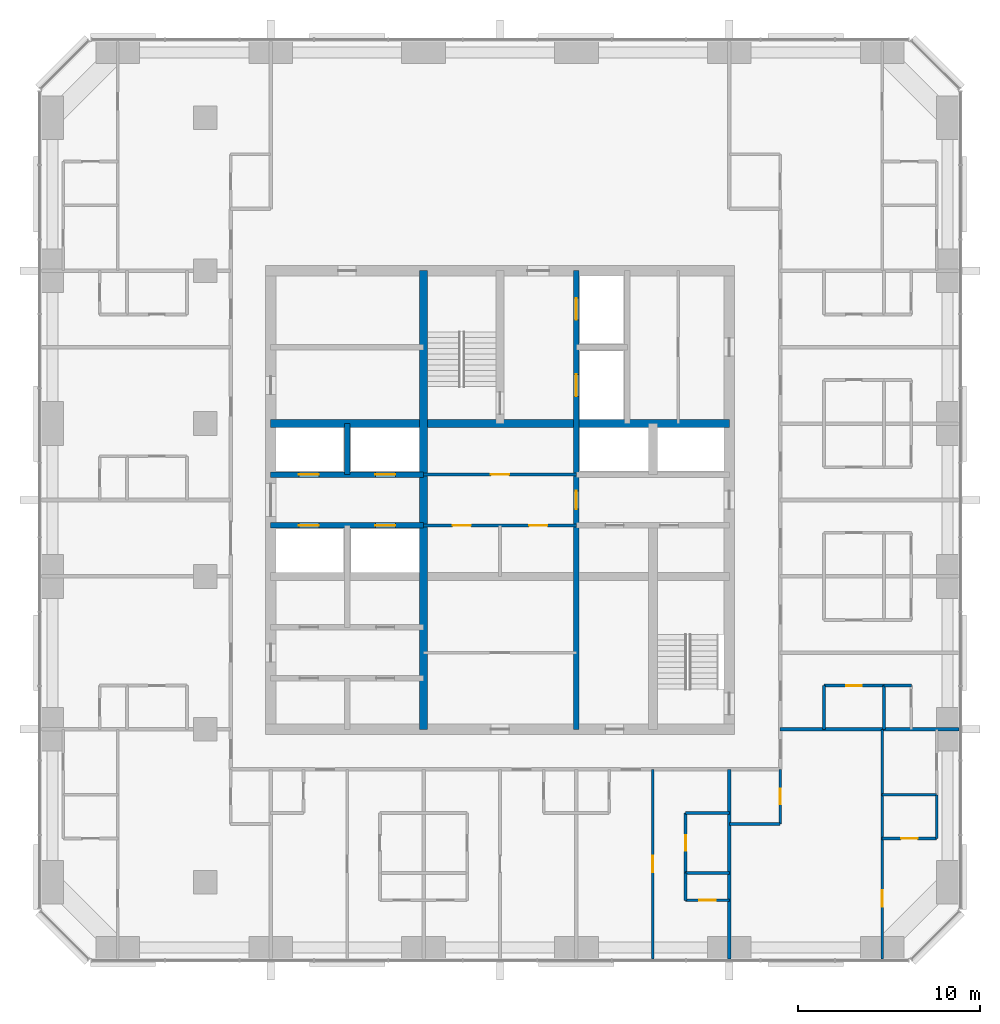
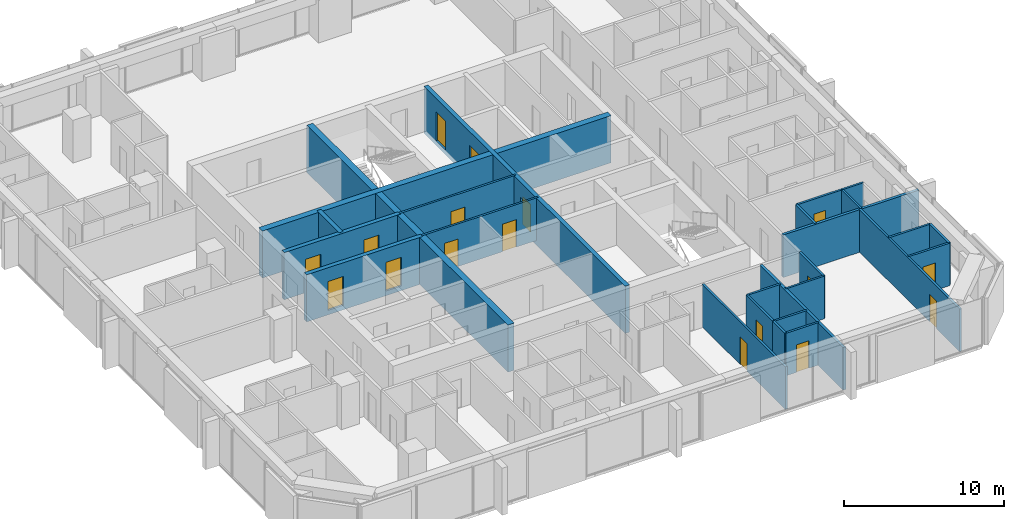
# One storey, part 10 of 14: 26 walls, 17 doors, 17 openings.
"""IFC4 building model written with IfcOpenShell, lengths in metres."""

from ifc_helpers import new_model, si_unit, direction, frame, frame_2d, origin, place, context, subcontext, project, spatial, rectangle, extrude, material, layer, layer_set, type_object, element, fill, save


model = new_model("IFC4")

# Units and contexts
model_context = context("Model", 3, precision=1e-05, world=origin(), true_north=direction((0.0, 1.0)))
body_context = subcontext(model_context, "Body", "Model", "MODEL_VIEW")
ifc_project = project(units=[si_unit("LENGTHUNIT", "METRE"), si_unit("AREAUNIT", "SQUARE_METRE"), si_unit("VOLUMEUNIT", "CUBIC_METRE"), si_unit("PLANEANGLEUNIT", "RADIAN"), si_unit("MASSUNIT", "GRAM", prefix="KILO")], contexts=[model_context])

# Site, building, storey
site_placement = place(None, origin())
site = spatial("IfcSite", under=ifc_project, at=site_placement, CompositionType="ELEMENT")
building_placement = place(site_placement, origin())
building = spatial("IfcBuilding", under=site, at=building_placement, Name="Dunama Terrace Hotel", CompositionType="ELEMENT")
storey_placement = place(building_placement, frame((0.0, 0.0, 184.199951171875)))
storey = spatial("IfcBuildingStorey", under=building, at=storey_placement, Name="L47", CompositionType="ELEMENT", Elevation=184.199951171875)

# Wall, opening, door
ifc_material_1 = material(Name="Gypsum board partition", Category="masonry")
ifc_layer_1 = layer(ifc_material_1, 0.14990234375)
ifc_layer_set_1 = layer_set([ifc_layer_1], Name="Bathroom partition 150")
wall_type_1 = type_object("IfcWallType", Name="Bathroom partition 150", PredefinedType="PARTITIONING", material=ifc_layer_set_1)
wall_1_placement = place(storey_placement, frame((39.60009765625, 8.89990234375, 0.0), z_axis=(0.0, 0.0, 1.0), x_axis=(0.0, 1.0, 0.0)))
wall_1 = element("IfcWall", 1, at=wall_1_placement, inside=storey, type_object=wall_type_1, Name="Bathroom partition 150 L47", PredefinedType="PARTITIONING", context=body_context, shape_type="SweptSolid", body=[
    extrude(rectangle(XDim=3.300048828125, YDim=0.14990234375, at=frame_2d((1.64990234375, 0.0))), origin(), (0.0, 0.0, 1.0), 3.25),
])
opening_1_placement = place(wall_1_placement, frame((1.22509765625, 0.0, 0.0)))
opening_1 = element("IfcOpeningElement", 2, at=opening_1_placement, cuts=wall_1, Name="Opening L46-47-022", PredefinedType="OPENING", context=body_context, shape_type="SweptSolid", body=[
    extrude(rectangle(XDim=0.85009765625, YDim=2.10009765625, at=frame_2d((0.425048828125, 1.050048828125))), frame((0.0, 0.0849609375, 0.0), z_axis=(0.0, -1.0, 0.0), x_axis=(1.0, 0.0, 0.0)), (0.0, 0.0, 1.0), 0.169921875),
])
ifc_material_2 = material(Name="Timber door with steel frame", Category="steel")
door_type_1 = type_object("IfcDoorType", Name="Bathroom door 850", OperationType="SINGLE_SWING_LEFT", PredefinedType="DOOR", material=ifc_material_2)
door_1_placement = place(opening_1_placement, frame((0.85009765625, 0.0, 0.0), z_axis=(0.0, 0.0, 1.0), x_axis=(-1.0, 0.0, 0.0)))
door_1 = element("IfcDoor", 3, at=door_1_placement, inside=storey, type_object=door_type_1, Name="Door to en-suite bathroom L46-47-022, type D2", OperationType="SINGLE_SWING_RIGHT", OverallHeight=2.10009765625, OverallWidth=0.85009765625, PredefinedType="DOOR", context=body_context, shape_type="SweptSolid", body=[
    extrude(rectangle(XDim=0.85009765625, YDim=2.10009765625, at=frame_2d((0.425048828125, 1.050048828125))), frame((0.0, 0.025146484375, 0.0), z_axis=(0.0, -1.0, 0.0), x_axis=(1.0, 0.0, 0.0)), (0.0, 0.0, 1.0), 0.050048828125),
])
fill(opening_1, door_1)

wall_2_placement = place(storey_placement, frame((44.800048828125, 11.60009765625, 0.0), z_axis=(0.0, 0.0, 1.0), x_axis=(0.0, 1.0, 0.0)))
wall_2 = element("IfcWall", 4, at=wall_2_placement, inside=storey, type_object=wall_type_1, Name="Bathroom partition 150 L47", PredefinedType="PARTITIONING", context=body_context, shape_type="SweptSolid", body=[
    extrude(rectangle(XDim=3.0, YDim=0.14990234375, at=frame_2d((1.5, 0.0))), origin(), (0.0, 0.0, 1.0), 3.25),
])
opening_2_placement = place(wall_2_placement, frame((1.074951171875, 0.0, 0.0)))
opening_2 = element("IfcOpeningElement", 5, at=opening_2_placement, cuts=wall_2, Name="Opening L46-47-058", PredefinedType="OPENING", context=body_context, shape_type="SweptSolid", body=[
    extrude(rectangle(XDim=0.85009765625, YDim=2.10009765625, at=frame_2d((0.425048828125, 1.050048828125))), frame((0.0, 0.0849609375, 0.0), z_axis=(0.0, -1.0, 0.0), x_axis=(1.0, 0.0, 0.0)), (0.0, 0.0, 1.0), 0.169921875),
])
door_2_placement = place(opening_2_placement, origin())
door_2 = element("IfcDoor", 6, at=door_2_placement, inside=storey, type_object=door_type_1, Name="Door to powder room L46-47-058, type D2", OperationType="SINGLE_SWING_RIGHT", OverallHeight=2.10009765625, OverallWidth=0.85009765625, PredefinedType="DOOR", context=body_context, shape_type="SweptSolid", body=[
    extrude(rectangle(XDim=0.85009765625, YDim=2.10009765625, at=frame_2d((0.425048828125, 1.050048828125))), frame((0.0, 0.02490234375, 0.0), z_axis=(0.0, -1.0, 0.0), x_axis=(1.0, 0.0, 0.0)), (0.0, 0.0, 1.0), 0.050048828125),
])
fill(opening_2, door_2)

# Walls
wall_3_placement = place(storey_placement, frame((47.199951171875, 16.800048828125, 0.0), z_axis=(0.0, 0.0, 1.0), x_axis=(0.0, 1.0, 0.0)))
element("IfcWall", 7, at=wall_3_placement, inside=storey, type_object=wall_type_1, Name="Bathroom partition 150 L47", PredefinedType="PARTITIONING", context=body_context, shape_type="SweptSolid", body=[
    extrude(rectangle(XDim=2.39990234375, YDim=0.14990234375, at=frame_2d((1.199951171875, 0.0))), origin(), (0.0, 0.0, 1.0), 3.25),
])
wall_4_placement = place(storey_placement, frame((42.0, 11.60009765625, 0.0), z_axis=(0.0, 0.0, 1.0), x_axis=(1.0, 0.0, 0.0)))
element("IfcWall", 8, at=wall_4_placement, inside=storey, type_object=wall_type_1, Name="Bathroom partition 150 L47", PredefinedType="PARTITIONING", context=body_context, shape_type="SweptSolid", body=[
    extrude(rectangle(XDim=2.800048828125, YDim=0.14990234375, at=frame_2d((1.39990234375, 0.0))), origin(), (0.0, 0.0, 1.0), 3.25),
])
wall_5_placement = place(storey_placement, frame((39.60009765625, 12.199951171875, 0.0), z_axis=(0.0, 0.0, 1.0), x_axis=(1.0, 0.0, 0.0)))
element("IfcWall", 9, at=wall_5_placement, inside=storey, type_object=wall_type_1, Name="Bathroom partition 150 L47", PredefinedType="PARTITIONING", context=body_context, shape_type="SweptSolid", body=[
    extrude(rectangle(XDim=2.39990234375, YDim=0.14990234375, at=frame_2d((1.199951171875, 0.0))), origin(), (0.0, 0.0, 1.0), 3.25),
])

# Wall, opening, door
wall_6_placement = place(storey_placement, frame((47.199951171875, 19.199951171875, 0.0), z_axis=(0.0, 0.0, 1.0), x_axis=(1.0, 0.0, 0.0)))
wall_6 = element("IfcWall", 10, at=wall_6_placement, inside=storey, type_object=wall_type_1, Name="Bathroom partition 150 L47", PredefinedType="PARTITIONING", context=body_context, shape_type="SweptSolid", body=[
    extrude(rectangle(XDim=3.300048828125, YDim=0.14990234375, at=frame_2d((1.64990234375, 0.0))), origin(), (0.0, 0.0, 1.0), 3.25),
])
opening_3_placement = place(wall_6_placement, frame((1.22509765625, 0.0, 0.0)))
opening_3 = element("IfcOpeningElement", 11, at=opening_3_placement, cuts=wall_6, Name="Opening L46-47-025", PredefinedType="OPENING", context=body_context, shape_type="SweptSolid", body=[
    extrude(rectangle(XDim=0.85009765625, YDim=2.10009765625, at=frame_2d((0.425048828125, 1.050048828125))), frame((0.0, 0.0849609375, 0.0), z_axis=(0.0, -1.0, 0.0), x_axis=(1.0, 0.0, 0.0)), (0.0, 0.0, 1.0), 0.169921875),
])
door_3_placement = place(opening_3_placement, frame((0.85009765625, 0.0, 0.0), z_axis=(0.0, 0.0, 1.0), x_axis=(-1.0, 0.0, 0.0)))
door_3 = element("IfcDoor", 12, at=door_3_placement, inside=storey, type_object=door_type_1, Name="Door to en-suite bathroom L46-47-025, type D2", OperationType="SINGLE_SWING_LEFT", OverallHeight=2.10009765625, OverallWidth=0.85009765625, PredefinedType="DOOR", context=body_context, shape_type="SweptSolid", body=[
    extrude(rectangle(XDim=0.85009765625, YDim=2.10009765625, at=frame_2d((0.425048828125, 1.050048828125))), frame((0.0, 0.025146484375, 0.0), z_axis=(0.0, -1.0, 0.0), x_axis=(1.0, 0.0, 0.0)), (0.0, 0.0, 1.0), 0.050048828125),
])
fill(opening_3, door_3)

# Wall
ifc_material_3 = material(Name="Concrete C50/60", Category="concrete")
ifc_layer_2 = layer(ifc_material_3, 0.300048828125)
ifc_layer_set_2 = layer_set([ifc_layer_2], Name="Core inner wall 300")
wall_type_2 = type_object("IfcWallType", Name="Core inner wall 300", PredefinedType="SHEAR", material=ifc_layer_set_2)
wall_7_placement = place(storey_placement, frame((21.0, 30.800048828125, -0.349853515625), z_axis=(0.0, 0.0, 1.0), x_axis=(0.0, 1.0, 0.0)))
element("IfcWall", 13, at=wall_7_placement, inside=storey, type_object=wall_type_2, Name="Core inner wall 300 L47", PredefinedType="SHEAR", context=body_context, shape_type="SweptSolid", body=[
    extrude(rectangle(XDim=2.800048828125, YDim=0.300048828125, at=frame_2d((1.39990234375, 0.0))), origin(), (0.0, 0.0, 1.0), 3.599853515625),
])

# Wall, openings, doors
wall_8_placement = place(storey_placement, frame((33.60009765625, 16.800048828125, -0.349853515625), z_axis=(0.0, 0.0, 1.0), x_axis=(0.0, 1.0, 0.0)))
wall_8 = element("IfcWall", 14, at=wall_8_placement, inside=storey, type_object=wall_type_2, Name="Core inner wall 300 L47", PredefinedType="SHEAR", context=body_context, shape_type="SweptSolid", body=[
    extrude(rectangle(XDim=25.199951171875, YDim=0.300048828125, at=frame_2d((12.60009765625, 0.0))), origin(), (0.0, 0.0, 1.0), 3.599853515625),
])
opening_4_placement = place(wall_8_placement, frame((22.5, 0.0, 0.35009765625)))
opening_4 = element("IfcOpeningElement", 15, at=opening_4_placement, cuts=wall_8, Name="Opening L46-47-007", PredefinedType="OPENING", context=body_context, shape_type="SweptSolid", body=[
    extrude(rectangle(XDim=1.199951171875, YDim=2.199951171875, at=frame_2d((0.60009765625, 1.10009765625))), frame((0.0, 0.159912109375, 0.0), z_axis=(0.0, -1.0, 0.0), x_axis=(1.0, 0.0, 0.0)), (0.0, 0.0, 1.0), 0.320068359375),
])
opening_5_placement = place(wall_8_placement, frame((18.300048828125, 0.0, 0.35009765625)))
opening_5 = element("IfcOpeningElement", 16, at=opening_5_placement, cuts=wall_8, Name="Opening L46-47-008", PredefinedType="OPENING", context=body_context, shape_type="SweptSolid", body=[
    extrude(rectangle(XDim=1.199951171875, YDim=2.199951171875, at=frame_2d((0.60009765625, 1.10009765625))), frame((0.0, 0.159912109375, 0.0), z_axis=(0.0, -1.0, 0.0), x_axis=(1.0, 0.0, 0.0)), (0.0, 0.0, 1.0), 0.320068359375),
])
opening_6_placement = place(wall_8_placement, frame((12.10009765625, 0.0, 0.35009765625)))
opening_6 = element("IfcOpeningElement", 17, at=opening_6_placement, cuts=wall_8, Name="Opening L46-47-080", PredefinedType="OPENING", context=body_context, shape_type="SweptSolid", body=[
    extrude(rectangle(XDim=1.0, YDim=2.10009765625, at=frame_2d((0.5, 1.050048828125))), frame((0.0, 0.159912109375, 0.0), z_axis=(0.0, -1.0, 0.0), x_axis=(1.0, 0.0, 0.0)), (0.0, 0.0, 1.0), 0.320068359375),
])
ifc_material_4 = material(Name="Stainless steel lift door", Category="steel")
door_type_2 = type_object("IfcDoorType", Name="Firefighting lift landing door 1200", OperationType="DOUBLE_DOOR_SLIDING", PredefinedType="DOOR", material=ifc_material_4)
door_4_placement = place(opening_4_placement, origin())
door_4 = element("IfcDoor", 18, at=door_4_placement, inside=storey, type_object=door_type_2, Name="Landing door FL1 L46-47-007, type LD2", OperationType="DOUBLE_DOOR_SLIDING", OverallHeight=2.199951171875, OverallWidth=1.199951171875, PredefinedType="DOOR", context=body_context, shape_type="SweptSolid", body=[
    extrude(rectangle(XDim=1.199951171875, YDim=2.199951171875, at=frame_2d((0.60009765625, 1.10009765625))), frame((0.0, 0.02490234375, 0.0), z_axis=(0.0, -1.0, 0.0), x_axis=(1.0, 0.0, 0.0)), (0.0, 0.0, 1.0), 0.050048828125),
])
fill(opening_4, door_4)
door_5_placement = place(opening_5_placement, origin())
door_5 = element("IfcDoor", 19, at=door_5_placement, inside=storey, type_object=door_type_2, Name="Landing door FL2 L46-47-008, type LD2", OperationType="DOUBLE_DOOR_SLIDING", OverallHeight=2.199951171875, OverallWidth=1.199951171875, PredefinedType="DOOR", context=body_context, shape_type="SweptSolid", body=[
    extrude(rectangle(XDim=1.199951171875, YDim=2.199951171875, at=frame_2d((0.60009765625, 1.10009765625))), frame((0.0, 0.02490234375, 0.0), z_axis=(0.0, -1.0, 0.0), x_axis=(1.0, 0.0, 0.0)), (0.0, 0.0, 1.0), 0.050048828125),
])
fill(opening_5, door_5)
ifc_material_5 = material(Name="Timber door with steel frame", Category="steel")
door_type_3 = type_object("IfcDoorType", Name="Service door 1000", OperationType="SINGLE_SWING_LEFT", PredefinedType="DOOR", material=ifc_material_5)
door_6_placement = place(opening_6_placement, origin())
door_6 = element("IfcDoor", 20, at=door_6_placement, inside=storey, type_object=door_type_3, Name="Door to staff passage L46-47-080, type D7", OperationType="SINGLE_SWING_LEFT", OverallHeight=2.10009765625, OverallWidth=1.0, PredefinedType="DOOR", context=body_context, shape_type="SweptSolid", body=[
    extrude(rectangle(XDim=1.0, YDim=2.10009765625, at=frame_2d((0.5, 1.050048828125))), frame((0.0, 0.02490234375, 0.0), z_axis=(0.0, -1.0, 0.0), x_axis=(1.0, 0.0, 0.0)), (0.0, 0.0, 1.0), 0.050048828125),
])
fill(opening_6, door_6)

wall_9_placement = place(storey_placement, frame((16.800048828125, 28.0, -0.349853515625), z_axis=(0.0, 0.0, 1.0), x_axis=(1.0, 0.0, 0.0)))
wall_9 = element("IfcWall", 21, at=wall_9_placement, inside=storey, type_object=wall_type_2, Name="Core inner wall 300 L47", PredefinedType="SHEAR", context=body_context, shape_type="SweptSolid", body=[
    extrude(rectangle(XDim=8.39990234375, YDim=0.300048828125, at=frame_2d((4.199951171875, 0.0))), origin(), (0.0, 0.0, 1.0), 3.599853515625),
])
opening_7_placement = place(wall_9_placement, frame((1.550048828125, 0.0, 0.35009765625)))
opening_7 = element("IfcOpeningElement", 22, at=opening_7_placement, cuts=wall_9, Name="Opening L46-47-003", PredefinedType="OPENING", context=body_context, shape_type="SweptSolid", body=[
    extrude(rectangle(XDim=1.10009765625, YDim=2.199951171875, at=frame_2d((0.550048828125, 1.10009765625))), frame((0.0, 0.159912109375, 0.0), z_axis=(0.0, -1.0, 0.0), x_axis=(1.0, 0.0, 0.0)), (0.0, 0.0, 1.0), 0.320068359375),
])
opening_8_placement = place(wall_9_placement, frame((5.75, 0.0, 0.35009765625)))
opening_8 = element("IfcOpeningElement", 23, at=opening_8_placement, cuts=wall_9, Name="Opening L46-47-004", PredefinedType="OPENING", context=body_context, shape_type="SweptSolid", body=[
    extrude(rectangle(XDim=1.10009765625, YDim=2.199951171875, at=frame_2d((0.550048828125, 1.10009765625))), frame((0.0, 0.159912109375, 0.0), z_axis=(0.0, -1.0, 0.0), x_axis=(1.0, 0.0, 0.0)), (0.0, 0.0, 1.0), 0.320068359375),
])
ifc_material_6 = material(Name="Stainless steel lift door", Category="steel")
door_type_4 = type_object("IfcDoorType", Name="Lift landing door 1100", OperationType="DOUBLE_DOOR_SLIDING", PredefinedType="DOOR", material=ifc_material_6)
door_7_placement = place(opening_7_placement, origin())
door_7 = element("IfcDoor", 24, at=door_7_placement, inside=storey, type_object=door_type_4, Name="Landing door PC1 L46-47-003, type LD1", OperationType="DOUBLE_DOOR_SLIDING", OverallHeight=2.199951171875, OverallWidth=1.10009765625, PredefinedType="DOOR", context=body_context, shape_type="SweptSolid", body=[
    extrude(rectangle(XDim=1.10009765625, YDim=2.199951171875, at=frame_2d((0.550048828125, 1.10009765625))), frame((0.0, 0.02490234375, 0.0), z_axis=(0.0, -1.0, 0.0), x_axis=(1.0, 0.0, 0.0)), (0.0, 0.0, 1.0), 0.050048828125),
])
fill(opening_7, door_7)
door_8_placement = place(opening_8_placement, origin())
door_8 = element("IfcDoor", 25, at=door_8_placement, inside=storey, type_object=door_type_4, Name="Landing door PC2 L46-47-004, type LD1", OperationType="DOUBLE_DOOR_SLIDING", OverallHeight=2.199951171875, OverallWidth=1.10009765625, PredefinedType="DOOR", context=body_context, shape_type="SweptSolid", body=[
    extrude(rectangle(XDim=1.10009765625, YDim=2.199951171875, at=frame_2d((0.550048828125, 1.10009765625))), frame((0.0, 0.02490234375, 0.0), z_axis=(0.0, -1.0, 0.0), x_axis=(1.0, 0.0, 0.0)), (0.0, 0.0, 1.0), 0.050048828125),
])
fill(opening_8, door_8)

wall_10_placement = place(storey_placement, frame((16.800048828125, 30.800048828125, -0.349853515625), z_axis=(0.0, 0.0, 1.0), x_axis=(1.0, 0.0, 0.0)))
wall_10 = element("IfcWall", 26, at=wall_10_placement, inside=storey, type_object=wall_type_2, Name="Core inner wall 300 L47", PredefinedType="SHEAR", context=body_context, shape_type="SweptSolid", body=[
    extrude(rectangle(XDim=8.39990234375, YDim=0.300048828125, at=frame_2d((4.199951171875, 0.0))), origin(), (0.0, 0.0, 1.0), 3.599853515625),
])
opening_9_placement = place(wall_10_placement, frame((1.550048828125, 0.0, 0.35009765625)))
opening_9 = element("IfcOpeningElement", 27, at=opening_9_placement, cuts=wall_10, Name="Opening L46-47-005", PredefinedType="OPENING", context=body_context, shape_type="SweptSolid", body=[
    extrude(rectangle(XDim=1.10009765625, YDim=2.199951171875, at=frame_2d((0.550048828125, 1.10009765625))), frame((0.0, 0.159912109375, 0.0), z_axis=(0.0, -1.0, 0.0), x_axis=(1.0, 0.0, 0.0)), (0.0, 0.0, 1.0), 0.320068359375),
])
opening_10_placement = place(wall_10_placement, frame((5.75, 0.0, 0.35009765625)))
opening_10 = element("IfcOpeningElement", 28, at=opening_10_placement, cuts=wall_10, Name="Opening L46-47-006", PredefinedType="OPENING", context=body_context, shape_type="SweptSolid", body=[
    extrude(rectangle(XDim=1.10009765625, YDim=2.199951171875, at=frame_2d((0.550048828125, 1.10009765625))), frame((0.0, 0.159912109375, 0.0), z_axis=(0.0, -1.0, 0.0), x_axis=(1.0, 0.0, 0.0)), (0.0, 0.0, 1.0), 0.320068359375),
])
door_9_placement = place(opening_9_placement, origin())
door_9 = element("IfcDoor", 29, at=door_9_placement, inside=storey, type_object=door_type_4, Name="Landing door PC3 L46-47-005, type LD1", OperationType="DOUBLE_DOOR_SLIDING", OverallHeight=2.199951171875, OverallWidth=1.10009765625, PredefinedType="DOOR", context=body_context, shape_type="SweptSolid", body=[
    extrude(rectangle(XDim=1.10009765625, YDim=2.199951171875, at=frame_2d((0.550048828125, 1.10009765625))), frame((0.0, 0.02490234375, 0.0), z_axis=(0.0, -1.0, 0.0), x_axis=(1.0, 0.0, 0.0)), (0.0, 0.0, 1.0), 0.050048828125),
])
fill(opening_9, door_9)
door_10_placement = place(opening_10_placement, origin())
door_10 = element("IfcDoor", 30, at=door_10_placement, inside=storey, type_object=door_type_4, Name="Landing door PC4 L46-47-006, type LD1", OperationType="DOUBLE_DOOR_SLIDING", OverallHeight=2.199951171875, OverallWidth=1.10009765625, PredefinedType="DOOR", context=body_context, shape_type="SweptSolid", body=[
    extrude(rectangle(XDim=1.10009765625, YDim=2.199951171875, at=frame_2d((0.550048828125, 1.10009765625))), frame((0.0, 0.02490234375, 0.0), z_axis=(0.0, -1.0, 0.0), x_axis=(1.0, 0.0, 0.0)), (0.0, 0.0, 1.0), 0.050048828125),
])
fill(opening_10, door_10)

# Walls
ifc_material_7 = material(Name="Concrete C50/60", Category="concrete")
ifc_layer_3 = layer(ifc_material_7, 0.449951171875)
ifc_layer_set_3 = layer_set([ifc_layer_3], Name="Core inner wall 450")
wall_type_3 = type_object("IfcWallType", Name="Core inner wall 450", PredefinedType="SHEAR", material=ifc_layer_set_3)
for number, where, z_axis, x_axis, name in (
    (31, (25.199951171875, 16.800048828125, -0.349853515625), (0.0, 0.0, 1.0), (0.0, 1.0, 0.0), "Core inner wall 450 L47"),
    (32, (16.800048828125, 33.60009765625, -0.349853515625), (0.0, 0.0, 1.0), (1.0, 0.0, 0.0), "Core inner wall 450 L47"),
):
    element("IfcWall", number, at=place(storey_placement, frame(where, z_axis=z_axis, x_axis=x_axis)), inside=storey, type_object=wall_type_3, Name=name, PredefinedType="SHEAR", context=body_context, shape_type="SweptSolid", body=[
        extrude(rectangle(XDim=25.199951171875, YDim=0.449951171875, at=frame_2d((12.60009765625, 0.0))), origin(), (0.0, 0.0, 1.0), 3.599853515625),
    ])
ifc_material_8 = material(Name="Concrete blockwork", Category="masonry")
ifc_layer_4 = layer(ifc_material_8, 0.199951171875)
ifc_layer_set_4 = layer_set([ifc_layer_4], Name="Party wall 200")
wall_type_4 = type_object("IfcWallType", Name="Party wall 200", PredefinedType="PARTITIONING", material=ifc_layer_set_4)
wall_11_placement = place(storey_placement, frame((42.0, 4.181884765625, 0.0), z_axis=(0.0, 0.0, 1.0), x_axis=(0.0, 1.0, 0.0)))
element("IfcWall", 33, at=wall_11_placement, inside=storey, type_object=wall_type_4, Name="Party wall 200 L47", PredefinedType="PARTITIONING", context=body_context, shape_type="SweptSolid", body=[
    extrude(rectangle(XDim=10.418212890625, YDim=0.199951171875, at=frame_2d((5.208984375, 0.0))), origin(), (0.0, 0.0, 1.0), 3.25),
])
wall_12_placement = place(storey_placement, frame((44.800048828125, 16.800048828125, 0.0), z_axis=(0.0, 0.0, 1.0), x_axis=(1.0, 0.0, 0.0)))
element("IfcWall", 34, at=wall_12_placement, inside=storey, type_object=wall_type_4, Name="Party wall 200 L47", PredefinedType="PARTITIONING", context=body_context, shape_type="SweptSolid", body=[
    extrude(rectangle(XDim=9.81787109375, YDim=0.199951171875, at=frame_2d((4.908935546875, 0.0))), origin(), (0.0, 0.0, 1.0), 3.25),
])

# Wall, opening, door
ifc_material_9 = material(Name="Gypsum board partition", Category="masonry")
ifc_layer_5 = layer(ifc_material_9, 0.14990234375)
ifc_layer_set_5 = layer_set([ifc_layer_5], Name="Room partition 150")
wall_type_5 = type_object("IfcWallType", Name="Room partition 150", PredefinedType="PARTITIONING", material=ifc_layer_set_5)
wall_13_placement = place(storey_placement, frame((37.800048828125, 4.181884765625, 0.0), z_axis=(0.0, 0.0, 1.0), x_axis=(0.0, 1.0, 0.0)))
wall_13 = element("IfcWall", 35, at=wall_13_placement, inside=storey, type_object=wall_type_5, Name="Room partition 150 L47", PredefinedType="PARTITIONING", context=body_context, shape_type="SweptSolid", body=[
    extrude(rectangle(XDim=10.418212890625, YDim=0.14990234375, at=frame_2d((5.208984375, 0.0))), origin(), (0.0, 0.0, 1.0), 3.25),
])
opening_11_placement = place(wall_13_placement, frame((4.76806640625, 0.0, 0.0)))
opening_11 = element("IfcOpeningElement", 36, at=opening_11_placement, cuts=wall_13, Name="Opening L46-47-021", PredefinedType="OPENING", context=body_context, shape_type="SweptSolid", body=[
    extrude(rectangle(XDim=0.89990234375, YDim=2.10009765625, at=frame_2d((0.449951171875, 1.050048828125))), frame((0.0, 0.0849609375, 0.0), z_axis=(0.0, -1.0, 0.0), x_axis=(1.0, 0.0, 0.0)), (0.0, 0.0, 1.0), 0.169921875),
])
ifc_material_10 = material(Name="Timber door with steel frame", Category="steel")
door_type_5 = type_object("IfcDoorType", Name="Suite internal door 900", OperationType="SINGLE_SWING_LEFT", PredefinedType="DOOR", material=ifc_material_10)
door_11_placement = place(opening_11_placement, frame((0.89990234375, 0.0, 0.0), z_axis=(0.0, 0.0, 1.0), x_axis=(-1.0, 0.0, 0.0)))
door_11 = element("IfcDoor", 37, at=door_11_placement, inside=storey, type_object=door_type_5, Name="Door to executive club suite bedroom L46-47-021, type D16", OperationType="SINGLE_SWING_RIGHT", OverallHeight=2.10009765625, OverallWidth=0.89990234375, PredefinedType="DOOR", context=body_context, shape_type="SweptSolid", body=[
    extrude(rectangle(XDim=0.89990234375, YDim=2.10009765625, at=frame_2d((0.449951171875, 1.050048828125))), frame((0.0, 0.025146484375, 0.0), z_axis=(0.0, -1.0, 0.0), x_axis=(1.0, 0.0, 0.0)), (0.0, 0.0, 1.0), 0.050048828125),
])
fill(opening_11, door_11)

# Wall
wall_14_placement = place(storey_placement, frame((39.60009765625, 7.39990234375, 0.0), z_axis=(0.0, 0.0, 1.0), x_axis=(0.0, 1.0, 0.0)))
element("IfcWall", 38, at=wall_14_placement, inside=storey, type_object=wall_type_5, Name="Room partition 150 L47", PredefinedType="PARTITIONING", context=body_context, shape_type="SweptSolid", body=[
    extrude(rectangle(XDim=1.5, YDim=0.14990234375, at=frame_2d((0.75, 0.0))), origin(), (0.0, 0.0, 1.0), 3.25),
])

# Wall, opening, door
wall_15_placement = place(storey_placement, frame((50.39990234375, 4.181884765625, 0.0), z_axis=(0.0, 0.0, 1.0), x_axis=(0.0, 1.0, 0.0)))
wall_15 = element("IfcWall", 39, at=wall_15_placement, inside=storey, type_object=wall_type_5, Name="Room partition 150 L47", PredefinedType="PARTITIONING", context=body_context, shape_type="SweptSolid", body=[
    extrude(rectangle(XDim=12.6181640625, YDim=0.14990234375, at=frame_2d((6.30908203125, 0.0))), origin(), (0.0, 0.0, 1.0), 3.25),
])
opening_12_placement = place(wall_15_placement, frame((2.867919921875, 0.0, 0.0)))
opening_12 = element("IfcOpeningElement", 40, at=opening_12_placement, cuts=wall_15, Name="Opening L46-47-059", PredefinedType="OPENING", context=body_context, shape_type="SweptSolid", body=[
    extrude(rectangle(XDim=0.89990234375, YDim=2.10009765625, at=frame_2d((0.449951171875, 1.050048828125))), frame((0.0, 0.0849609375, 0.0), z_axis=(0.0, -1.0, 0.0), x_axis=(1.0, 0.0, 0.0)), (0.0, 0.0, 1.0), 0.169921875),
])
door_12_placement = place(opening_12_placement, frame((0.89990234375, 0.0, 0.0), z_axis=(0.0, 0.0, 1.0), x_axis=(-1.0, 0.0, 0.0)))
door_12 = element("IfcDoor", 41, at=door_12_placement, inside=storey, type_object=door_type_5, Name="Door to corner suite bedroom L46-47-059, type D16", OperationType="SINGLE_SWING_RIGHT", OverallHeight=2.10009765625, OverallWidth=0.89990234375, PredefinedType="DOOR", context=body_context, shape_type="SweptSolid", body=[
    extrude(rectangle(XDim=0.89990234375, YDim=2.10009765625, at=frame_2d((0.449951171875, 1.050048828125))), frame((0.0, 0.025146484375, 0.0), z_axis=(0.0, -1.0, 0.0), x_axis=(1.0, 0.0, 0.0)), (0.0, 0.0, 1.0), 0.050048828125),
])
fill(opening_12, door_12)

# Walls
for number, where, z_axis, x_axis, name in (
    (42, (50.5, 16.800048828125, 0.0), (0.0, 0.0, 1.0), (0.0, 1.0, 0.0), "Room partition 150 L47"),
    (43, (53.39990234375, 10.800048828125, 0.0), (0.0, 0.0, 1.0), (0.0, 1.0, 0.0), "Room partition 150 L47"),
):
    element("IfcWall", number, at=place(storey_placement, frame(where, z_axis=z_axis, x_axis=x_axis)), inside=storey, type_object=wall_type_5, Name=name, PredefinedType="PARTITIONING", context=body_context, shape_type="SweptSolid", body=[
        extrude(rectangle(XDim=2.39990234375, YDim=0.14990234375, at=frame_2d((1.199951171875, 0.0))), origin(), (0.0, 0.0, 1.0), 3.25),
    ])

# Wall, opening, door
wall_16_placement = place(storey_placement, frame((39.60009765625, 7.39990234375, 0.0), z_axis=(0.0, 0.0, 1.0), x_axis=(1.0, 0.0, 0.0)))
wall_16 = element("IfcWall", 44, at=wall_16_placement, inside=storey, type_object=wall_type_5, Name="Room partition 150 L47", PredefinedType="PARTITIONING", context=body_context, shape_type="SweptSolid", body=[
    extrude(rectangle(XDim=2.39990234375, YDim=0.14990234375, at=frame_2d((1.199951171875, 0.0))), origin(), (0.0, 0.0, 1.0), 3.25),
])
opening_13_placement = place(wall_16_placement, frame((0.75, 0.0, 0.0)))
opening_13 = element("IfcOpeningElement", 45, at=opening_13_placement, cuts=wall_16, Name="Opening L46-47-023", PredefinedType="OPENING", context=body_context, shape_type="SweptSolid", body=[
    extrude(rectangle(XDim=0.89990234375, YDim=2.10009765625, at=frame_2d((0.449951171875, 1.050048828125))), frame((0.0, 0.0849609375, 0.0), z_axis=(0.0, -1.0, 0.0), x_axis=(1.0, 0.0, 0.0)), (0.0, 0.0, 1.0), 0.169921875),
])
door_13_placement = place(opening_13_placement, origin())
door_13 = element("IfcDoor", 46, at=door_13_placement, inside=storey, type_object=door_type_5, Name="Door to walk-in wardrobe L46-47-023, type D16", OperationType="SINGLE_SWING_LEFT", OverallHeight=2.10009765625, OverallWidth=0.89990234375, PredefinedType="DOOR", context=body_context, shape_type="SweptSolid", body=[
    extrude(rectangle(XDim=0.89990234375, YDim=2.10009765625, at=frame_2d((0.449951171875, 1.050048828125))), frame((0.0, 0.02490234375, 0.0), z_axis=(0.0, -1.0, 0.0), x_axis=(1.0, 0.0, 0.0)), (0.0, 0.0, 1.0), 0.050048828125),
])
fill(opening_13, door_13)

# Wall
wall_17_placement = place(storey_placement, frame((39.60009765625, 8.89990234375, 0.0), z_axis=(0.0, 0.0, 1.0), x_axis=(1.0, 0.0, 0.0)))
element("IfcWall", 47, at=wall_17_placement, inside=storey, type_object=wall_type_5, Name="Room partition 150 L47", PredefinedType="PARTITIONING", context=body_context, shape_type="SweptSolid", body=[
    extrude(rectangle(XDim=2.39990234375, YDim=0.14990234375, at=frame_2d((1.199951171875, 0.0))), origin(), (0.0, 0.0, 1.0), 3.25),
])

# Wall, opening, door
wall_18_placement = place(storey_placement, frame((50.39990234375, 10.800048828125, 0.0), z_axis=(0.0, 0.0, 1.0), x_axis=(1.0, 0.0, 0.0)))
wall_18 = element("IfcWall", 48, at=wall_18_placement, inside=storey, type_object=wall_type_5, Name="Room partition 150 L47", PredefinedType="PARTITIONING", context=body_context, shape_type="SweptSolid", body=[
    extrude(rectangle(XDim=3.0, YDim=0.14990234375, at=frame_2d((1.5, 0.0))), origin(), (0.0, 0.0, 1.0), 3.25),
])
opening_14_placement = place(wall_18_placement, frame((1.050048828125, 0.0, 0.0)))
opening_14 = element("IfcOpeningElement", 49, at=opening_14_placement, cuts=wall_18, Name="Opening L46-47-061", PredefinedType="OPENING", context=body_context, shape_type="SweptSolid", body=[
    extrude(rectangle(XDim=0.89990234375, YDim=2.10009765625, at=frame_2d((0.449951171875, 1.050048828125))), frame((0.0, 0.0849609375, 0.0), z_axis=(0.0, -1.0, 0.0), x_axis=(1.0, 0.0, 0.0)), (0.0, 0.0, 1.0), 0.169921875),
])
door_14_placement = place(opening_14_placement, origin())
door_14 = element("IfcDoor", 50, at=door_14_placement, inside=storey, type_object=door_type_5, Name="Door to dressing room L46-47-061, type D16", OperationType="SINGLE_SWING_LEFT", OverallHeight=2.10009765625, OverallWidth=0.89990234375, PredefinedType="DOOR", context=body_context, shape_type="SweptSolid", body=[
    extrude(rectangle(XDim=0.89990234375, YDim=2.10009765625, at=frame_2d((0.449951171875, 1.050048828125))), frame((0.0, 0.02490234375, 0.0), z_axis=(0.0, -1.0, 0.0), x_axis=(1.0, 0.0, 0.0)), (0.0, 0.0, 1.0), 0.050048828125),
])
fill(opening_14, door_14)

# Walls
wall_19_placement = place(storey_placement, frame((50.39990234375, 13.199951171875, 0.0), z_axis=(0.0, 0.0, 1.0), x_axis=(1.0, 0.0, 0.0)))
element("IfcWall", 51, at=wall_19_placement, inside=storey, type_object=wall_type_5, Name="Room partition 150 L47", PredefinedType="PARTITIONING", context=body_context, shape_type="SweptSolid", body=[
    extrude(rectangle(XDim=3.0, YDim=0.14990234375, at=frame_2d((1.5, 0.0))), origin(), (0.0, 0.0, 1.0), 3.25),
])
wall_20_placement = place(storey_placement, frame((50.5, 19.199951171875, 0.0), z_axis=(0.0, 0.0, 1.0), x_axis=(1.0, 0.0, 0.0)))
element("IfcWall", 52, at=wall_20_placement, inside=storey, type_object=wall_type_5, Name="Room partition 150 L47", PredefinedType="PARTITIONING", context=body_context, shape_type="SweptSolid", body=[
    extrude(rectangle(XDim=1.5, YDim=0.14990234375, at=frame_2d((0.75, 0.0))), origin(), (0.0, 0.0, 1.0), 3.25),
])

# Wall, openings, doors
wall_21_placement = place(storey_placement, frame((25.199951171875, 28.0, 0.0), z_axis=(0.0, 0.0, 1.0), x_axis=(1.0, 0.0, 0.0)))
wall_21 = element("IfcWall", 53, at=wall_21_placement, inside=storey, type_object=wall_type_5, Name="Room partition 150 L47", PredefinedType="PARTITIONING", context=body_context, shape_type="SweptSolid", body=[
    extrude(rectangle(XDim=8.400146484375, YDim=0.14990234375, at=frame_2d((4.2001953125, 0.0))), origin(), (0.0, 0.0, 1.0), 3.25),
])
opening_15_placement = place(wall_21_placement, frame((5.800048828125, 0.0, 0.0)))
opening_15 = element("IfcOpeningElement", 54, at=opening_15_placement, cuts=wall_21, Name="Opening L46-47-081", PredefinedType="OPENING", context=body_context, shape_type="SweptSolid", body=[
    extrude(rectangle(XDim=1.0, YDim=2.10009765625, at=frame_2d((0.5, 1.050048828125))), frame((0.0, 0.0849609375, 0.0), z_axis=(0.0, -1.0, 0.0), x_axis=(1.0, 0.0, 0.0)), (0.0, 0.0, 1.0), 0.169921875),
])
opening_16_placement = place(wall_21_placement, frame((1.60009765625, 0.0, 0.0)))
opening_16 = element("IfcOpeningElement", 55, at=opening_16_placement, cuts=wall_21, Name="Opening L46-47-082", PredefinedType="OPENING", context=body_context, shape_type="SweptSolid", body=[
    extrude(rectangle(XDim=1.0, YDim=2.10009765625, at=frame_2d((0.5, 1.050048828125))), frame((0.0, 0.0849609375, 0.0), z_axis=(0.0, -1.0, 0.0), x_axis=(1.0, 0.0, 0.0)), (0.0, 0.0, 1.0), 0.169921875),
])
door_15_placement = place(opening_15_placement, frame((1.0, 0.0, 0.0), z_axis=(0.0, 0.0, 1.0), x_axis=(-1.0, 0.0, 0.0)))
door_15 = element("IfcDoor", 56, at=door_15_placement, inside=storey, type_object=door_type_3, Name="Door to staff locker room L46-47-081, type D7", OperationType="SINGLE_SWING_LEFT", OverallHeight=2.10009765625, OverallWidth=1.0, PredefinedType="DOOR", context=body_context, shape_type="SweptSolid", body=[
    extrude(rectangle(XDim=1.0, YDim=2.10009765625, at=frame_2d((0.5, 1.050048828125))), frame((0.0, 0.025146484375, 0.0), z_axis=(0.0, -1.0, 0.0), x_axis=(1.0, 0.0, 0.0)), (0.0, 0.0, 1.0), 0.050048828125),
])
fill(opening_15, door_15)
door_16_placement = place(opening_16_placement, frame((1.0, 0.0, 0.0), z_axis=(0.0, 0.0, 1.0), x_axis=(-1.0, 0.0, 0.0)))
door_16 = element("IfcDoor", 57, at=door_16_placement, inside=storey, type_object=door_type_3, Name="Door to staff break room L46-47-082, type D7", OperationType="SINGLE_SWING_RIGHT", OverallHeight=2.10009765625, OverallWidth=1.0, PredefinedType="DOOR", context=body_context, shape_type="SweptSolid", body=[
    extrude(rectangle(XDim=1.0, YDim=2.10009765625, at=frame_2d((0.5, 1.050048828125))), frame((0.0, 0.025146484375, 0.0), z_axis=(0.0, -1.0, 0.0), x_axis=(1.0, 0.0, 0.0)), (0.0, 0.0, 1.0), 0.050048828125),
])
fill(opening_16, door_16)

# Wall, opening, door
wall_22_placement = place(storey_placement, frame((25.199951171875, 30.800048828125, 0.0), z_axis=(0.0, 0.0, 1.0), x_axis=(1.0, 0.0, 0.0)))
wall_22 = element("IfcWall", 58, at=wall_22_placement, inside=storey, type_object=wall_type_5, Name="Room partition 150 L47", PredefinedType="PARTITIONING", context=body_context, shape_type="SweptSolid", body=[
    extrude(rectangle(XDim=8.400146484375, YDim=0.14990234375, at=frame_2d((4.2001953125, 0.0))), origin(), (0.0, 0.0, 1.0), 3.25),
])
opening_17_placement = place(wall_22_placement, frame((3.699951171875, 0.0, 0.0)))
opening_17 = element("IfcOpeningElement", 59, at=opening_17_placement, cuts=wall_22, Name="Opening L46-47-083", PredefinedType="OPENING", context=body_context, shape_type="SweptSolid", body=[
    extrude(rectangle(XDim=1.0, YDim=2.10009765625, at=frame_2d((0.5, 1.050048828125))), frame((0.0, 0.0849609375, 0.0), z_axis=(0.0, -1.0, 0.0), x_axis=(1.0, 0.0, 0.0)), (0.0, 0.0, 1.0), 0.169921875),
])
door_17_placement = place(opening_17_placement, origin())
door_17 = element("IfcDoor", 60, at=door_17_placement, inside=storey, type_object=door_type_3, Name="Door to housekeeping store L46-47-083, type D7", OperationType="SINGLE_SWING_LEFT", OverallHeight=2.10009765625, OverallWidth=1.0, PredefinedType="DOOR", context=body_context, shape_type="SweptSolid", body=[
    extrude(rectangle(XDim=1.0, YDim=2.10009765625, at=frame_2d((0.5, 1.050048828125))), frame((0.0, 0.02490234375, 0.0), z_axis=(0.0, -1.0, 0.0), x_axis=(1.0, 0.0, 0.0)), (0.0, 0.0, 1.0), 0.050048828125),
])
fill(opening_17, door_17)

save(model, "model.ifc")
